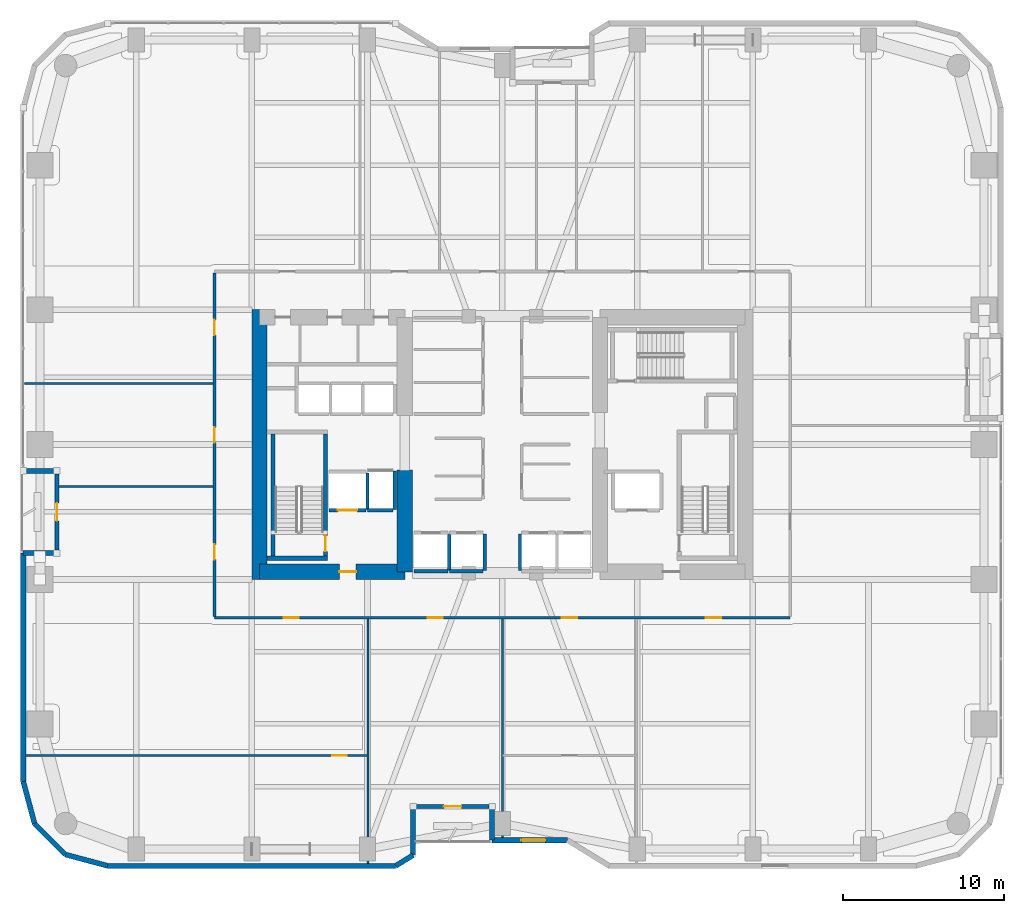
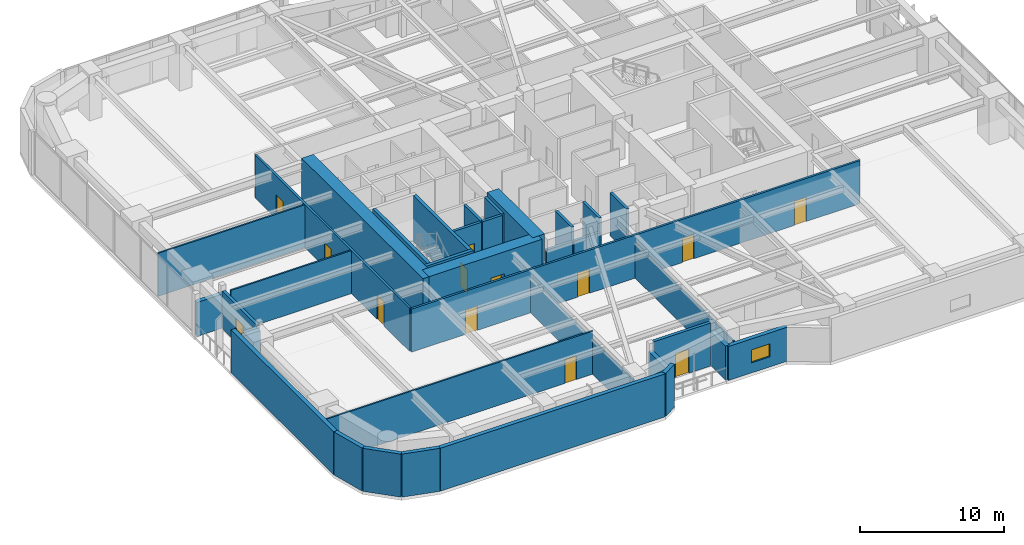
# One storey, part 22 of 28: 35 walls, 13 doors, 1 window, 14 openings.
"""IFC4 building model written with IfcOpenShell, lengths in metres."""

import ifcopenshell
import ifcopenshell.guid

model = None  # the IFC model being written
_history = None  # IfcOwnerHistory: only IFC2X3 demands one
_inside = {}  # id of a spatial element -> (the spatial element, [elements in it])
_under = {}  # id of a project, library or spatial element -> (it, [spatial elements below it])
_declared = {}  # id of a project -> (the project, [libraries it declares])
_typed = {}  # id of a type object -> (the type object, [elements of that type])
_made_of = {}  # id of a material, layer set ... -> (it, [elements and type objects made of it])


def new_model(schema):
    """Start an empty IFC model of exactly this schema.

    Asked for "IFC4X3", IfcOpenShell would pick the latest addendum, in which some entities
    have other attributes; the version numbers below select the first issue.
    IFC2X3 requires an IfcOwnerHistory on every rooted entity: one is made here for all.
    """
    global model, _history
    if schema == "IFC4X3":
        model = ifcopenshell.file(schema_version=(4, 3, 0, 0))
    else:
        model = ifcopenshell.file(schema=schema)
    _inside.clear()
    _under.clear()
    _declared.clear()
    _typed.clear()
    _made_of.clear()
    _history = None
    if model.schema == "IFC2X3":
        org = make("IfcOrganization", Name="unknown")
        user = make(
            "IfcPersonAndOrganization",
            ThePerson=make("IfcPerson", FamilyName="unknown"),
            TheOrganization=org,
        )
        app = make(
            "IfcApplication",
            ApplicationDeveloper=org,
            Version="unknown",
            ApplicationFullName="unknown",
            ApplicationIdentifier="unknown",
        )
        _history = make(
            "IfcOwnerHistory",
            OwningUser=user,
            OwningApplication=app,
            ChangeAction="ADDED",
            CreationDate=0,
        )
    return model


def make(cls, **values):
    """One entity of the class cls with the attributes given. An attribute that is None is left unset."""
    return model.create_entity(
        cls, **{name: value for name, value in values.items() if value is not None}
    )


def rooted(cls, **values):
    """An entity with a GlobalId (a new one), such as an element, a storey or a relation."""
    return make(cls, GlobalId=ifcopenshell.guid.new(), OwnerHistory=_history, **values)


def si_unit(unit_type, name, prefix=None):
    """IfcSIUnit, for example si_unit("LENGTHUNIT", "METRE", prefix="MILLI")."""
    return make("IfcSIUnit", UnitType=unit_type, Prefix=prefix, Name=name)


def assignment(units):
    """IfcUnitAssignment: the units of a project."""
    return None if units is None else make("IfcUnitAssignment", Units=units)


def point(xyz):
    """IfcCartesianPoint."""
    return None if xyz is None else make("IfcCartesianPoint", Coordinates=xyz)


def direction(xyz):
    """IfcDirection."""
    return None if xyz is None else make("IfcDirection", DirectionRatios=xyz)


def frame(location, z_axis=None, x_axis=None):
    """IfcAxis2Placement3D, a coordinate frame: its origin and axes. An axis left out is left unset."""
    return make(
        "IfcAxis2Placement3D",
        Location=point(location),
        Axis=direction(z_axis),
        RefDirection=direction(x_axis),
    )


def frame_2d(location, x_axis=None):
    """IfcAxis2Placement2D, a coordinate frame in the plane: its origin and x axis."""
    return make(
        "IfcAxis2Placement2D", Location=point(location), RefDirection=direction(x_axis)
    )


def origin():
    """The frame at (0, 0, 0) with its axes left unset."""
    return frame((0.0, 0.0, 0.0))


def place(relative_to, where):
    """IfcLocalPlacement: puts the frame where relative to a parent placement (None: the world)."""
    return make(
        "IfcLocalPlacement", PlacementRelTo=relative_to, RelativePlacement=where
    )


def context(
    kind, dimensions, precision=None, world=None, true_north=None, identifier=None
):
    """IfcGeometricRepresentationContext, for example the 3D "Model" context."""
    return make(
        "IfcGeometricRepresentationContext",
        ContextIdentifier=identifier,
        ContextType=kind,
        CoordinateSpaceDimension=dimensions,
        Precision=precision,
        WorldCoordinateSystem=world,
        TrueNorth=true_north,
    )


def subcontext(parent, identifier, kind, view, scale=None):
    """IfcGeometricRepresentationSubContext, for example "Body" below "Model"."""
    return make(
        "IfcGeometricRepresentationSubContext",
        ContextIdentifier=identifier,
        ContextType=kind,
        ParentContext=parent,
        TargetScale=scale,
        TargetView=view,
    )


def project(units=None, contexts=None):
    """IfcProject with its units and contexts."""
    return rooted(
        "IfcProject",
        Name="project",
        RepresentationContexts=contexts,
        UnitsInContext=assignment(units),
    )


def spatial(cls, under=None, at=None, **own):
    """A site, building, storey or space (cls), placed at a placement, below another one or the project."""
    s = rooted(cls, ObjectPlacement=at, **own)
    if under is not None:
        _under.setdefault(under.id(), (under, []))[1].append(s)
    return s


def profile(cls, at=None, kind="AREA", **sizes):
    """A parametric profile (cls). Its sizes go by their IFC names, for example OverallWidth=200.0."""
    return make(cls, ProfileType=kind, Position=at, **sizes)


def rectangle(**sizes):
    """IfcRectangleProfileDef."""
    return profile("IfcRectangleProfileDef", **sizes)


def extrude(swept, where, along, depth):
    """IfcExtrudedAreaSolid: the profile swept, set in the frame where, extruded along a direction by depth."""
    return make(
        "IfcExtrudedAreaSolid",
        SweptArea=swept,
        Position=where,
        ExtrudedDirection=direction(along),
        Depth=depth,
    )


def shape(context_of_items, identifier, shape_type, items):
    """IfcShapeRepresentation: the items that make up one representation, for example the "Body"."""
    return make(
        "IfcShapeRepresentation",
        ContextOfItems=context_of_items,
        RepresentationIdentifier=identifier,
        RepresentationType=shape_type,
        Items=items,
    )


def material(Name=None, Category=None):
    """IfcMaterial."""
    return make("IfcMaterial", Name=Name, Category=Category)


def layer(
    of_material, thickness, ventilated=None, Name=None, Category=None, Priority=None
):
    """IfcMaterialLayer: one layer of a wall or slab, of a material (None: an air gap)."""
    return make(
        "IfcMaterialLayer",
        Material=of_material,
        LayerThickness=thickness,
        IsVentilated=ventilated,
        Name=Name,
        Category=Category,
        Priority=Priority,
    )


def layer_set(layers, Name=None):
    """IfcMaterialLayerSet."""
    return make("IfcMaterialLayerSet", MaterialLayers=layers, LayerSetName=Name)


def made_of(thing, what):
    """Note that an element or type object is made of a material, layer set ...; save() writes the relation."""
    if what is not None:
        _made_of.setdefault(what.id(), (what, []))[1].append(thing)
    return thing


def type_object(cls, material=None, **own):
    """A type object (cls), such as IfcWallType, which elements share."""
    return made_of(rooted(cls, **own), material)


def element(
    cls,
    number,
    at=None,
    inside=None,
    cuts=None,
    type_object=None,
    material=None,
    context=None,
    identifier="Body",
    shape_type=None,
    held_by="IfcProductDefinitionShape",
    body=None,
    shapes=None,
    **own,
):
    """One element of the class cls, such as IfcWall. Its Tag is "e" and its number.

    at: its placement. inside: the storey or other place that contains it. cuts: it is an
    opening in that element (IfcRelVoidsElement). A single representation is given by context,
    identifier, shape_type and body (its items); several are given by shapes. held_by: the class
    of the entity that holds the representations. save() writes the other relations.
    """
    e = rooted(cls, Tag="e%d" % number, ObjectPlacement=at, **own)
    if body is not None:
        shapes = [shape(context, identifier, shape_type, body)]
    if shapes is not None:
        e.Representation = make(held_by, Representations=shapes)
    if inside is not None:
        _inside.setdefault(inside.id(), (inside, []))[1].append(e)
    if cuts is not None:
        rooted(
            "IfcRelVoidsElement", RelatingBuildingElement=cuts, RelatedOpeningElement=e
        )
    if type_object is not None:
        _typed.setdefault(type_object.id(), (type_object, []))[1].append(e)
    return made_of(e, material)


def fill(opening, filler):
    """IfcRelFillsElement: the door or window that sits in an opening."""
    return rooted(
        "IfcRelFillsElement",
        RelatingOpeningElement=opening,
        RelatedBuildingElement=filler,
    )


def aggregate(whole, parts):
    """IfcRelAggregates: a whole, such as a stair, and the parts it consists of."""
    return rooted("IfcRelAggregates", RelatingObject=whole, RelatedObjects=parts)


def save(model, path):
    """Write the relations noted so far, then the file.

    IfcRelAggregates (storeys below a building ...), IfcRelContainedInSpatialStructure (elements
    in a storey), IfcRelDefinesByType, IfcRelAssociatesMaterial and IfcRelDeclares: one each for
    every whole, place, type object, material and project.
    """
    for whole, parts in _under.values():
        aggregate(whole, parts)
    for where, things in _inside.values():
        rooted(
            "IfcRelContainedInSpatialStructure",
            RelatedElements=things,
            RelatingStructure=where,
        )
    for kind, things in _typed.values():
        rooted("IfcRelDefinesByType", RelatedObjects=things, RelatingType=kind)
    for what, things in _made_of.values():
        rooted("IfcRelAssociatesMaterial", RelatedObjects=things, RelatingMaterial=what)
    for by, libraries in _declared.values():
        rooted("IfcRelDeclares", RelatingContext=by, RelatedDefinitions=libraries)
    model.write(path)


model = new_model("IFC4")

# Units and contexts
model_context = context("Model", 3, precision=1e-05, world=origin(), true_north=direction((0.0, 1.0)))
body_context = subcontext(model_context, "Body", "Model", "MODEL_VIEW")
ifc_project = project(units=[si_unit("LENGTHUNIT", "METRE"), si_unit("AREAUNIT", "SQUARE_METRE"), si_unit("VOLUMEUNIT", "CUBIC_METRE"), si_unit("PLANEANGLEUNIT", "RADIAN"), si_unit("MASSUNIT", "GRAM", prefix="KILO")], contexts=[model_context])

# Site, building, storey
site_placement = place(None, origin())
site = spatial("IfcSite", under=ifc_project, at=site_placement, CompositionType="ELEMENT")
building_placement = place(site_placement, origin())
building = spatial("IfcBuilding", under=site, at=building_placement, Name="Kiyonajd Concourse Tower", CompositionType="ELEMENT")
storey_placement = place(building_placement, frame((0.0, 0.0, 37.199951171875)))
storey = spatial("IfcBuildingStorey", under=building, at=storey_placement, Name="L10", CompositionType="ELEMENT", Elevation=37.199951171875)

# Walls
ifc_material_1 = material(Name="Concrete C80/95", Category="concrete")
ifc_layer_1 = layer(ifc_material_1, 0.949951171875)
ifc_layer_set_1 = layer_set([ifc_layer_1], Name="Concrete C80/95")
wall_type_1 = type_object("IfcWallType", Name="WL-CORE-950", PredefinedType="SHEAR", material=ifc_layer_set_1)
wall_1_placement = place(storey_placement, frame((32.875, 27.60009765625, 0.0), z_axis=(0.0, 0.0, 1.0), x_axis=(0.0, 1.0, 0.0)))
element("IfcWall", 1, at=wall_1_placement, inside=storey, type_object=wall_type_1, Name="L10 West Core Outer Shear Wall", PredefinedType="SHEAR", context=body_context, shape_type="SweptSolid", body=[
    extrude(rectangle(XDim=16.7998046875, YDim=0.949951171875, at=frame_2d((8.39990234375, 0.0))), origin(), (0.0, 0.0, 1.0), 3.900146484375),
])
wall_2_placement = place(storey_placement, frame((41.925048828125, 28.074951171875, 0.0), z_axis=(0.0, 0.0, 1.0), x_axis=(0.0, 1.0, 0.0)))
element("IfcWall", 2, at=wall_2_placement, inside=storey, type_object=wall_type_1, Name="L10 West Core Inner South Shear Wall", PredefinedType="SHEAR", context=body_context, shape_type="SweptSolid", body=[
    extrude(rectangle(XDim=6.324951171875, YDim=0.949951171875, at=frame_2d((3.16259765625, 0.0))), origin(), (0.0, 0.0, 1.0), 3.900146484375),
])

# Wall, opening, door
wall_3_placement = place(storey_placement, frame((32.875, 28.074951171875, 0.0), z_axis=(0.0, 0.0, 1.0), x_axis=(1.0, 0.0, 0.0)))
wall_3 = element("IfcWall", 3, at=wall_3_placement, inside=storey, type_object=wall_type_1, Name="L10 West Core South Shear Wall", PredefinedType="SHEAR", context=body_context, shape_type="SweptSolid", body=[
    extrude(rectangle(XDim=9.050048828125, YDim=0.949951171875, at=frame_2d((4.52490234375, 0.0))), origin(), (0.0, 0.0, 1.0), 3.900146484375),
])
opening_1_placement = place(wall_3_placement, frame((4.97509765625, 0.0, 0.0)))
opening_1 = element("IfcOpeningElement", 4, at=opening_1_placement, cuts=wall_3, Name="Opening DF5", PredefinedType="OPENING", context=body_context, shape_type="SweptSolid", body=[
    extrude(rectangle(XDim=1.050048828125, YDim=2.0400390625, at=frame_2d((0.52490234375, 1.02001953125))), frame((0.0, 0.48486328125, 0.0), z_axis=(0.0, -1.0, 0.0), x_axis=(1.0, 0.0, 0.0)), (0.0, 0.0, 1.0), 0.969970703125),
])
ifc_material_2 = material(Name="Brushed Stainless Steel Cab Assembly", Category="steel")
door_type_1 = type_object("IfcDoorType", Name="DR-FD45-1050", OperationType="NOTDEFINED", PredefinedType="DOOR", material=ifc_material_2)
door_1_placement = place(opening_1_placement, origin())
door_1 = element("IfcDoor", 5, at=door_1_placement, inside=storey, type_object=door_type_1, Name="L10 Firefighting Lift Lobby W Smoke Door", OperationType="SINGLE_SWING_LEFT", OverallHeight=2.0400390625, OverallWidth=1.050048828125, PredefinedType="DOOR", context=body_context, shape_type="SweptSolid", body=[
    extrude(rectangle(XDim=1.050048828125, YDim=2.0400390625, at=frame_2d((0.52490234375, 1.02001953125))), frame((0.0, 0.02490234375, 0.0), z_axis=(0.0, -1.0, 0.0), x_axis=(1.0, 0.0, 0.0)), (0.0, 0.0, 1.0), 0.050048828125),
])
fill(opening_1, door_1)

# Walls
ifc_material_3 = material(Name="Precast concrete C50/60", Category="concrete")
ifc_layer_2 = layer(ifc_material_3, 0.320068359375)
ifc_layer_set_2 = layer_set([ifc_layer_2], Name="Precast concrete C50/60")
wall_type_2 = type_object("IfcWallType", Name="WL-EXT-320", PredefinedType="SOLIDWALL", material=ifc_layer_set_2)
wall_4_placement = place(storey_placement, frame((18.866455078125, 12.3828125, 0.0), z_axis=(0.0, 0.0, 1.0), x_axis=(-0.25869736047, 0.965958423373, 0.0)))
element("IfcWall", 6, at=wall_4_placement, inside=storey, type_object=wall_type_2, Name="L10 Exterior Concrete Frame Wall 00", PredefinedType="SOLIDWALL", context=body_context, shape_type="SweptSolid", body=[
    extrude(rectangle(XDim=2.731201171875, YDim=0.320068359375, at=frame_2d((1.36572265625, 0.0))), origin(), (0.0, 0.0, 1.0), 3.64013671875),
])
wall_5_placement = place(storey_placement, frame((18.159912109375, 15.02099609375, 0.0), z_axis=(0.0, 0.0, 1.0), x_axis=(0.0, 1.0, 0.0)))
element("IfcWall", 7, at=wall_5_placement, inside=storey, type_object=wall_type_2, Name="L10 Exterior Concrete Frame Wall 01", PredefinedType="SOLIDWALL", context=body_context, shape_type="SweptSolid", body=[
    extrude(rectangle(XDim=14.218994140625, YDim=0.320068359375, at=frame_2d((7.109375, 0.0))), origin(), (0.0, 0.0, 1.0), 3.64013671875),
])
for number, where, z_axis, x_axis, name in (
    (8, (18.159912109375, 29.239990234375, 0.0), (0.0, 0.0, 1.0), (1.0, 0.0, 0.0), "L10 Exterior Concrete Frame Wall 02"),
    (9, (20.260009765625, 34.360107421875, 0.0), (0.0, 0.0, 1.0), (-1.0, 0.0, 0.0), "L10 Exterior Concrete Frame Wall 04"),
):
    element("IfcWall", number, at=place(storey_placement, frame(where, z_axis=z_axis, x_axis=x_axis)), inside=storey, type_object=wall_type_2, Name=name, PredefinedType="SOLIDWALL", context=body_context, shape_type="SweptSolid", body=[
        extrude(rectangle(XDim=2.10009765625, YDim=0.320068359375, at=frame_2d((1.050048828125, 0.0))), origin(), (0.0, 0.0, 1.0), 2.875),
    ])

# Wall, opening, window
wall_6_placement = place(storey_placement, frame((52.04541015625, 11.360107421875, 0.0), z_axis=(0.0, 0.0, 1.0), x_axis=(-1.0, 0.0, 0.0)))
wall_6 = element("IfcWall", 10, at=wall_6_placement, inside=storey, type_object=wall_type_2, Name="L10 Exterior Concrete Frame Wall 30", PredefinedType="SOLIDWALL", context=body_context, shape_type="SweptSolid", body=[
    extrude(rectangle(XDim=4.685302734375, YDim=0.320068359375, at=frame_2d((2.3427734375, 0.0))), origin(), (0.0, 0.0, 1.0), 2.875),
])
opening_2_placement = place(wall_6_placement, frame((1.367919921875, 0.0, 0.85009765625)))
opening_2 = element("IfcOpeningElement", 11, at=opening_2_placement, cuts=wall_6, Name="Opening WN2", PredefinedType="OPENING", context=body_context, shape_type="SweptSolid", body=[
    extrude(rectangle(XDim=1.5, YDim=1.10009765625, at=frame_2d((0.75, 0.550048828125))), frame((0.0, 0.169921875, 0.0), z_axis=(0.0, -1.0, 0.0), x_axis=(1.0, 0.0, 0.0)), (0.0, 0.0, 1.0), 0.340087890625),
])
ifc_material_4 = material(Name="Double Low-E Insulated Glass", Category="glass")
window_type = type_object("IfcWindowType", Name="WN-VIS-1500x1100", PartitioningType="SINGLE_PANEL", PredefinedType="WINDOW", material=ifc_material_4)
window_placement = place(opening_2_placement, origin())
window = element("IfcWindow", 12, at=window_placement, inside=storey, type_object=window_type, Name="L10 Modular Facade Vision Window 30", OverallHeight=1.10009765625, OverallWidth=1.5, PartitioningType="SINGLE_PANEL", PredefinedType="WINDOW", context=body_context, shape_type="SweptSolid", body=[
    extrude(rectangle(XDim=1.5, YDim=1.10009765625, at=frame_2d((0.75, 0.550048828125))), frame((0.0, 0.030029296875, 0.0), z_axis=(0.0, -1.0, 0.0), x_axis=(1.0, 0.0, 0.0)), (0.0, 0.0, 1.0), 0.06005859375),
])
fill(opening_2, window)

# Walls
wall_7_placement = place(storey_placement, frame((47.360107421875, 11.360107421875, 0.0), z_axis=(0.0, 0.0, 1.0), x_axis=(0.0, 1.0, 0.0)))
element("IfcWall", 13, at=wall_7_placement, inside=storey, type_object=wall_type_2, Name="L10 Exterior Concrete Frame Wall 31", PredefinedType="SOLIDWALL", context=body_context, shape_type="SweptSolid", body=[
    extrude(rectangle(XDim=2.099853515625, YDim=0.320068359375, at=frame_2d((1.0498046875, 0.0))), origin(), (0.0, 0.0, 1.0), 2.875),
])
wall_8_placement = place(storey_placement, frame((42.43994140625, 13.4599609375, 0.0), z_axis=(0.0, 0.0, 1.0), x_axis=(0.0, -1.0, 0.0)))
element("IfcWall", 14, at=wall_8_placement, inside=storey, type_object=wall_type_2, Name="L10 Exterior Concrete Frame Wall 33", PredefinedType="SOLIDWALL", context=body_context, shape_type="SweptSolid", body=[
    extrude(rectangle(XDim=3.032470703125, YDim=0.320068359375, at=frame_2d((1.51611328125, 0.0))), origin(), (0.0, 0.0, 1.0), 2.875),
])
wall_9_placement = place(storey_placement, frame((42.43994140625, 10.427490234375, 0.0), z_axis=(0.0, 0.0, 1.0), x_axis=(-0.851776724646, -0.523904964045, 0.0)))
element("IfcWall", 15, at=wall_9_placement, inside=storey, type_object=wall_type_2, Name="L10 Exterior Concrete Frame Wall 34", PredefinedType="SOLIDWALL", context=body_context, shape_type="SweptSolid", body=[
    extrude(rectangle(XDim=1.274169921875, YDim=0.320068359375, at=frame_2d((0.63720703125, 0.0))), origin(), (0.0, 0.0, 1.0), 3.64013671875),
])
wall_10_placement = place(storey_placement, frame((41.354736328125, 9.760009765625, 0.0), z_axis=(0.0, 0.0, 1.0), x_axis=(-1.0, 0.0, 0.0)))
element("IfcWall", 16, at=wall_10_placement, inside=storey, type_object=wall_type_2, Name="L10 Exterior Concrete Frame Wall 35", PredefinedType="SOLIDWALL", context=body_context, shape_type="SweptSolid", body=[
    extrude(rectangle(XDim=17.93359375, YDim=0.320068359375, at=frame_2d((8.966796875, 0.0))), origin(), (0.0, 0.0, 1.0), 3.64013671875),
])
wall_11_placement = place(storey_placement, frame((23.421142578125, 9.760009765625, 0.0), z_axis=(0.0, 0.0, 1.0), x_axis=(-0.965964405026, 0.25867502435, 0.0)))
element("IfcWall", 17, at=wall_11_placement, inside=storey, type_object=wall_type_2, Name="L10 Exterior Concrete Frame Wall 36", PredefinedType="SOLIDWALL", context=body_context, shape_type="SweptSolid", body=[
    extrude(rectangle(XDim=2.7314453125, YDim=0.320068359375, at=frame_2d((1.36572265625, 0.0))), origin(), (0.0, 0.0, 1.0), 3.64013671875),
])
wall_12_placement = place(storey_placement, frame((20.78271484375, 10.466552734375, 0.0), z_axis=(0.0, 0.0, 1.0), x_axis=(-0.707106781187, 0.707106781187, 0.0)))
element("IfcWall", 18, at=wall_12_placement, inside=storey, type_object=wall_type_2, Name="L10 Exterior Concrete Frame Wall 37", PredefinedType="SOLIDWALL", context=body_context, shape_type="SweptSolid", body=[
    extrude(rectangle(XDim=2.7099609375, YDim=0.320068359375, at=frame_2d((1.35498046875, 0.0))), origin(), (0.0, 0.0, 1.0), 3.64013671875),
])

# Wall, opening, door
ifc_layer_3 = layer(ifc_material_3, 0.239990234375)
ifc_layer_set_3 = layer_set([ifc_layer_3], Name="Precast concrete C50/60")
wall_type_3 = type_object("IfcWallType", Name="WL-LOG-240", PredefinedType="SOLIDWALL", material=ifc_layer_set_3)
wall_13_placement = place(storey_placement, frame((20.260009765625, 29.43505859375, 0.0), z_axis=(0.0, 0.0, 1.0), x_axis=(0.0, 1.0, 0.0)))
wall_13 = element("IfcWall", 19, at=wall_13_placement, inside=storey, type_object=wall_type_3, Name="L10 Recessed Loggia Thermal Wall LOG-W", PredefinedType="SOLIDWALL", context=body_context, shape_type="SweptSolid", body=[
    extrude(rectangle(XDim=4.72998046875, YDim=0.239990234375, at=frame_2d((2.364990234375, 0.0))), origin(), (0.0, 0.0, 1.0), 3.162109375),
])
opening_3_placement = place(wall_13_placement, frame((1.81494140625, 0.0, 0.0)))
opening_3 = element("IfcOpeningElement", 20, at=opening_3_placement, cuts=wall_13, Name="Opening DL2", PredefinedType="OPENING", context=body_context, shape_type="SweptSolid", body=[
    extrude(rectangle(XDim=1.10009765625, YDim=2.0400390625, at=frame_2d((0.550048828125, 1.02001953125))), frame((0.0, 0.1298828125, 0.0), z_axis=(0.0, -1.0, 0.0), x_axis=(1.0, 0.0, 0.0)), (0.0, 0.0, 1.0), 0.260009765625),
])
ifc_material_5 = material(Name="Thermally Broken Anodised Aluminium", Category="aluminium")
door_type_2 = type_object("IfcDoorType", Name="DR-LOG-1100", OperationType="NOTDEFINED", PredefinedType="DOOR", material=ifc_material_5)
door_2_placement = place(opening_3_placement, origin())
door_2 = element("IfcDoor", 21, at=door_2_placement, inside=storey, type_object=door_type_2, Name="L10 Engawa Loggia Access Door LOG-W", OperationType="SINGLE_SWING_LEFT", OverallHeight=2.0400390625, OverallWidth=1.10009765625, PredefinedType="DOOR", context=body_context, shape_type="SweptSolid", body=[
    extrude(rectangle(XDim=1.10009765625, YDim=2.0400390625, at=frame_2d((0.550048828125, 1.02001953125))), frame((0.0, 0.02490234375, 0.0), z_axis=(0.0, -1.0, 0.0), x_axis=(1.0, 0.0, 0.0)), (0.0, 0.0, 1.0), 0.050048828125),
])
fill(opening_3, door_2)

wall_14_placement = place(storey_placement, frame((47.1650390625, 13.4599609375, 0.0), z_axis=(0.0, 0.0, 1.0), x_axis=(-1.0, 0.0, 0.0)))
wall_14 = element("IfcWall", 22, at=wall_14_placement, inside=storey, type_object=wall_type_3, Name="L10 Recessed Loggia Thermal Wall LOG-S", PredefinedType="SOLIDWALL", context=body_context, shape_type="SweptSolid", body=[
    extrude(rectangle(XDim=4.530029296875, YDim=0.239990234375, at=frame_2d((2.26513671875, 0.0))), origin(), (0.0, 0.0, 1.0), 3.64013671875),
])
opening_4_placement = place(wall_14_placement, frame((1.715087890625, 0.0, 0.0)))
opening_4 = element("IfcOpeningElement", 23, at=opening_4_placement, cuts=wall_14, Name="Opening DL2", PredefinedType="OPENING", context=body_context, shape_type="SweptSolid", body=[
    extrude(rectangle(XDim=1.10009765625, YDim=2.0400390625, at=frame_2d((0.550048828125, 1.02001953125))), frame((0.0, 0.1298828125, 0.0), z_axis=(0.0, -1.0, 0.0), x_axis=(1.0, 0.0, 0.0)), (0.0, 0.0, 1.0), 0.260009765625),
])
door_3_placement = place(opening_4_placement, origin())
door_3 = element("IfcDoor", 24, at=door_3_placement, inside=storey, type_object=door_type_2, Name="L10 Engawa Loggia Access Door LOG-S", OperationType="SINGLE_SWING_RIGHT", OverallHeight=2.0400390625, OverallWidth=1.10009765625, PredefinedType="DOOR", context=body_context, shape_type="SweptSolid", body=[
    extrude(rectangle(XDim=1.10009765625, YDim=2.0400390625, at=frame_2d((0.550048828125, 1.02001953125))), frame((0.0, 0.02490234375, 0.0), z_axis=(0.0, -1.0, 0.0), x_axis=(1.0, 0.0, 0.0)), (0.0, 0.0, 1.0), 0.050048828125),
])
fill(opening_4, door_3)

ifc_material_6 = material(Name="Gypsum Board on Cold-Formed Steel Stud", Category="steel")
ifc_layer_4 = layer(ifc_material_6, 0.125)
ifc_layer_set_4 = layer_set([ifc_layer_4], Name="Gypsum Board on Cold-Formed Steel Stud")
wall_type_4 = type_object("IfcWallType", Name="WL-PART-125", PredefinedType="PARTITIONING", material=ifc_layer_set_4)
wall_15_placement = place(storey_placement, frame((18.31494140625, 16.6298828125, 0.0), z_axis=(0.0, 0.0, 1.0), x_axis=(1.0, 0.0, 0.0)))
wall_15 = element("IfcWall", 25, at=wall_15_placement, inside=storey, type_object=wall_type_4, Name="L10 Interior Partition Wall", PredefinedType="PARTITIONING", context=body_context, shape_type="SweptSolid", body=[
    extrude(rectangle(XDim=21.324951171875, YDim=0.125, at=frame_2d((10.66259765625, 0.0))), origin(), (0.0, 0.0, 1.0), 3.64013671875),
])
opening_5_placement = place(wall_15_placement, frame((19.0849609375, 0.0, 0.0)))
opening_5 = element("IfcOpeningElement", 26, at=opening_5_placement, cuts=wall_15, Name="Opening DI2", PredefinedType="OPENING", context=body_context, shape_type="SweptSolid", body=[
    extrude(rectangle(XDim=0.89990234375, YDim=2.02001953125, at=frame_2d((0.449951171875, 1.010009765625))), frame((0.0, 0.072509765625, 0.0), z_axis=(0.0, -1.0, 0.0), x_axis=(1.0, 0.0, 0.0)), (0.0, 0.0, 1.0), 0.14501953125),
])
ifc_material_7 = material(Name="Natural Oak Acoustic Timber Veneer", Category="wood")
door_type_3 = type_object("IfcDoorType", Name="DR-INT-900", OperationType="NOTDEFINED", PredefinedType="DOOR", material=ifc_material_7)
door_4_placement = place(opening_5_placement, origin())
door_4 = element("IfcDoor", 27, at=door_4_placement, inside=storey, type_object=door_type_3, Name="L10 Interior Door", OperationType="SINGLE_SWING_RIGHT", OverallHeight=2.02001953125, OverallWidth=0.89990234375, PredefinedType="DOOR", context=body_context, shape_type="SweptSolid", body=[
    extrude(rectangle(XDim=0.89990234375, YDim=2.02001953125, at=frame_2d((0.449951171875, 1.010009765625))), frame((0.0, 0.02490234375, 0.0), z_axis=(0.0, -1.0, 0.0), x_axis=(1.0, 0.0, 0.0)), (0.0, 0.0, 1.0), 0.050048828125),
])
fill(opening_5, door_4)

# Walls
wall_16_placement = place(storey_placement, frame((39.639892578125, 9.9150390625, 0.0), z_axis=(0.0, 0.0, 1.0), x_axis=(0.0, 1.0, 0.0)))
element("IfcWall", 28, at=wall_16_placement, inside=storey, type_object=wall_type_4, Name="L10 Interior Partition Wall", PredefinedType="PARTITIONING", context=body_context, shape_type="SweptSolid", body=[
    extrude(rectangle(XDim=15.218017578125, YDim=0.125, at=frame_2d((7.60888671875, 0.0))), origin(), (0.0, 0.0, 1.0), 2.929931640625),
])
wall_17_placement = place(storey_placement, frame((48.0, 11.514892578125, 0.0), z_axis=(0.0, 0.0, 1.0), x_axis=(0.0, 1.0, 0.0)))
element("IfcWall", 29, at=wall_17_placement, inside=storey, type_object=wall_type_4, Name="L10 Interior Partition Wall", PredefinedType="PARTITIONING", context=body_context, shape_type="SweptSolid", body=[
    extrude(rectangle(XDim=13.6181640625, YDim=0.125, at=frame_2d((6.80908203125, 0.0))), origin(), (0.0, 0.0, 1.0), 2.929931640625),
])
wall_18_placement = place(storey_placement, frame((20.375, 33.39990234375, 0.0), z_axis=(0.0, 0.0, 1.0), x_axis=(1.0, 0.0, 0.0)))
element("IfcWall", 30, at=wall_18_placement, inside=storey, type_object=wall_type_4, Name="L10 Interior Partition Wall", PredefinedType="PARTITIONING", context=body_context, shape_type="SweptSolid", body=[
    extrude(rectangle(XDim=9.613037109375, YDim=0.125, at=frame_2d((4.806640625, 0.0))), origin(), (0.0, 0.0, 1.0), 3.64013671875),
])
wall_19_placement = place(storey_placement, frame((18.2451171875, 39.800048828125, 0.0), z_axis=(0.0, 0.0, 1.0), x_axis=(1.0, 0.0, 0.0)))
element("IfcWall", 31, at=wall_19_placement, inside=storey, type_object=wall_type_4, Name="L10 Interior Partition Wall", PredefinedType="PARTITIONING", context=body_context, shape_type="SweptSolid", body=[
    extrude(rectangle(XDim=11.742919921875, YDim=0.125, at=frame_2d((5.87158203125, 0.0))), origin(), (0.0, 0.0, 1.0), 3.64013671875),
])

# Wall, opening, door
ifc_layer_5 = layer(ifc_material_6, 0.2099609375)
ifc_layer_set_5 = layer_set([ifc_layer_5], Name="Gypsum Board on Cold-Formed Steel Stud")
wall_type_5 = type_object("IfcWallType", Name="WL-SHAFT-210", PredefinedType="PARTITIONING", material=ifc_layer_set_5)
wall_20_placement = place(storey_placement, frame((37.199951171875, 31.89990234375, 0.0), z_axis=(0.0, 0.0, 1.0), x_axis=(1.0, 0.0, 0.0)))
wall_20 = element("IfcWall", 32, at=wall_20_placement, inside=storey, type_object=wall_type_5, Name="L10 Shaft Enclosure Wall", PredefinedType="PARTITIONING", context=body_context, shape_type="SweptSolid", body=[
    extrude(rectangle(XDim=2.300048828125, YDim=0.2099609375, at=frame_2d((1.14990234375, 0.0))), origin(), (0.0, 0.0, 1.0), 3.64013671875),
])
opening_6_placement = place(wall_20_placement, frame((0.550048828125, 0.0, 0.0)))
opening_6 = element("IfcOpeningElement", 33, at=opening_6_placement, cuts=wall_20, Name="Opening LD2", PredefinedType="OPENING", context=body_context, shape_type="SweptSolid", body=[
    extrude(rectangle(XDim=1.199951171875, YDim=2.0400390625, at=frame_2d((0.60009765625, 1.02001953125))), frame((0.0, 0.114990234375, 0.0), z_axis=(0.0, -1.0, 0.0), x_axis=(1.0, 0.0, 0.0)), (0.0, 0.0, 1.0), 0.22998046875),
])
door_type_4 = type_object("IfcDoorType", Name="DR-LD-1200", OperationType="DOUBLE_DOOR_SLIDING", PredefinedType="DOOR", material=ifc_material_2)
door_5_placement = place(opening_6_placement, origin())
door_5 = element("IfcDoor", 34, at=door_5_placement, inside=storey, type_object=door_type_4, Name="L10 Lift FFL1 Sliding Landing Door", OperationType="DOUBLE_DOOR_SLIDING", OverallHeight=2.0400390625, OverallWidth=1.199951171875, PredefinedType="DOOR", context=body_context, shape_type="SweptSolid", body=[
    extrude(rectangle(XDim=1.199951171875, YDim=2.0400390625, at=frame_2d((0.60009765625, 1.02001953125))), frame((0.0, 0.02490234375, 0.0), z_axis=(0.0, -1.0, 0.0), x_axis=(1.0, 0.0, 0.0)), (0.0, 0.0, 1.0), 0.050048828125),
])
fill(opening_6, door_5)

# Walls
wall_21_placement = place(storey_placement, frame((39.60009765625, 31.9599609375, 0.0), z_axis=(0.0, 0.0, 1.0), x_axis=(0.0, 1.0, 0.0)))
element("IfcWall", 35, at=wall_21_placement, inside=storey, type_object=wall_type_5, Name="L10 Shaft Enclosure Wall", PredefinedType="PARTITIONING", context=body_context, shape_type="SweptSolid", body=[
    extrude(rectangle(XDim=2.280029296875, YDim=0.2099609375, at=frame_2d((1.14013671875, 0.0))), origin(), (0.0, 0.0, 1.0), 3.64013671875),
])
wall_22_placement = place(storey_placement, frame((39.60009765625, 31.89990234375, 0.0), z_axis=(0.0, 0.0, 1.0), x_axis=(1.0, 0.0, 0.0)))
element("IfcWall", 36, at=wall_22_placement, inside=storey, type_object=wall_type_5, Name="L10 Shaft Enclosure Wall", PredefinedType="PARTITIONING", context=body_context, shape_type="SweptSolid", body=[
    extrude(rectangle(XDim=1.599853515625, YDim=0.2099609375, at=frame_2d((0.7998046875, 0.0))), origin(), (0.0, 0.0, 1.0), 3.64013671875),
])
wall_23_placement = place(storey_placement, frame((41.300048828125, 31.9599609375, 0.0), z_axis=(0.0, 0.0, 1.0), x_axis=(0.0, 1.0, 0.0)))
element("IfcWall", 37, at=wall_23_placement, inside=storey, type_object=wall_type_5, Name="L10 Shaft Enclosure Wall", PredefinedType="PARTITIONING", context=body_context, shape_type="SweptSolid", body=[
    extrude(rectangle(XDim=2.380126953125, YDim=0.2099609375, at=frame_2d((1.18994140625, 0.0))), origin(), (0.0, 0.0, 1.0), 3.64013671875),
])
wall_24_placement = place(storey_placement, frame((42.5, 28.10009765625, 0.0), z_axis=(0.0, 0.0, 1.0), x_axis=(1.0, 0.0, 0.0)))
element("IfcWall", 38, at=wall_24_placement, inside=storey, type_object=wall_type_5, Name="L10 Shaft Enclosure Wall", PredefinedType="PARTITIONING", context=body_context, shape_type="SweptSolid", body=[
    extrude(rectangle(XDim=2.10009765625, YDim=0.2099609375, at=frame_2d((1.050048828125, 0.0))), origin(), (0.0, 0.0, 1.0), 2.525146484375),
])
wall_25_placement = place(storey_placement, frame((44.699951171875, 28.159912109375, 0.0), z_axis=(0.0, 0.0, 1.0), x_axis=(0.0, 1.0, 0.0)))
element("IfcWall", 39, at=wall_25_placement, inside=storey, type_object=wall_type_5, Name="L10 Shaft Enclosure Wall", PredefinedType="PARTITIONING", context=body_context, shape_type="SweptSolid", body=[
    extrude(rectangle(XDim=2.280029296875, YDim=0.2099609375, at=frame_2d((1.14013671875, 0.0))), origin(), (0.0, 0.0, 1.0), 3.64013671875),
])
wall_26_placement = place(storey_placement, frame((44.699951171875, 28.10009765625, 0.0), z_axis=(0.0, 0.0, 1.0), x_axis=(1.0, 0.0, 0.0)))
element("IfcWall", 40, at=wall_26_placement, inside=storey, type_object=wall_type_5, Name="L10 Shaft Enclosure Wall", PredefinedType="PARTITIONING", context=body_context, shape_type="SweptSolid", body=[
    extrude(rectangle(XDim=2.10009765625, YDim=0.2099609375, at=frame_2d((1.050048828125, 0.0))), origin(), (0.0, 0.0, 1.0), 2.525146484375),
])
for number, where, z_axis, x_axis, name in (
    (41, (46.89990234375, 28.159912109375, 0.0), (0.0, 0.0, 1.0), (0.0, 1.0, 0.0), "L10 Shaft Enclosure Wall"),
    (42, (49.10009765625, 28.159912109375, 0.0), (0.0, 0.0, 1.0), (0.0, 1.0, 0.0), "L10 Shaft Enclosure Wall"),
):
    element("IfcWall", number, at=place(storey_placement, frame(where, z_axis=z_axis, x_axis=x_axis)), inside=storey, type_object=wall_type_5, Name=name, PredefinedType="PARTITIONING", context=body_context, shape_type="SweptSolid", body=[
        extrude(rectangle(XDim=2.280029296875, YDim=0.2099609375, at=frame_2d((1.14013671875, 0.0))), origin(), (0.0, 0.0, 1.0), 3.64013671875),
    ])

# Wall, openings, doors
ifc_layer_6 = layer(ifc_material_6, 0.169921875)
ifc_layer_set_6 = layer_set([ifc_layer_6], Name="Gypsum Board on Cold-Formed Steel Stud")
wall_type_6 = type_object("IfcWallType", Name="WL-SMK-170", PredefinedType="PARTITIONING", material=ifc_layer_set_6)
wall_27_placement = place(storey_placement, frame((30.074951171875, 25.219970703125, 0.0), z_axis=(0.0, 0.0, 1.0), x_axis=(1.0, 0.0, 0.0)))
wall_27 = element("IfcWall", 43, at=wall_27_placement, inside=storey, type_object=wall_type_6, Name="L10 Interior Partition Wall", PredefinedType="PARTITIONING", context=body_context, shape_type="SweptSolid", body=[
    extrude(rectangle(XDim=35.85009765625, YDim=0.169921875, at=frame_2d((17.925048828125, 0.0))), origin(), (0.0, 0.0, 1.0), 3.64013671875),
])
opening_7_placement = place(wall_27_placement, frame((4.30810546875, 0.0, 0.0)))
opening_7 = element("IfcOpeningElement", 44, at=opening_7_placement, cuts=wall_27, Name="Opening DI1", PredefinedType="OPENING", context=body_context, shape_type="SweptSolid", body=[
    extrude(rectangle(XDim=0.949951171875, YDim=2.0400390625, at=frame_2d((0.47509765625, 1.02001953125))), frame((0.0, 0.094970703125, 0.0), z_axis=(0.0, -1.0, 0.0), x_axis=(1.0, 0.0, 0.0)), (0.0, 0.0, 1.0), 0.18994140625),
])
opening_8_placement = place(wall_27_placement, frame((13.27001953125, 0.0, 0.0)))
opening_8 = element("IfcOpeningElement", 45, at=opening_8_placement, cuts=wall_27, Name="Opening DI1", PredefinedType="OPENING", context=body_context, shape_type="SweptSolid", body=[
    extrude(rectangle(XDim=0.949951171875, YDim=2.0400390625, at=frame_2d((0.47509765625, 1.02001953125))), frame((0.0, 0.094970703125, 0.0), z_axis=(0.0, -1.0, 0.0), x_axis=(1.0, 0.0, 0.0)), (0.0, 0.0, 1.0), 0.18994140625),
])
opening_9_placement = place(wall_27_placement, frame((21.6298828125, 0.0, 0.0)))
opening_9 = element("IfcOpeningElement", 46, at=opening_9_placement, cuts=wall_27, Name="Opening DI1", PredefinedType="OPENING", context=body_context, shape_type="SweptSolid", body=[
    extrude(rectangle(XDim=0.949951171875, YDim=2.0400390625, at=frame_2d((0.47509765625, 1.02001953125))), frame((0.0, 0.094970703125, 0.0), z_axis=(0.0, -1.0, 0.0), x_axis=(1.0, 0.0, 0.0)), (0.0, 0.0, 1.0), 0.18994140625),
])
opening_10_placement = place(wall_27_placement, frame((30.592041015625, 0.0, 0.0)))
opening_10 = element("IfcOpeningElement", 47, at=opening_10_placement, cuts=wall_27, Name="Opening DI1", PredefinedType="OPENING", context=body_context, shape_type="SweptSolid", body=[
    extrude(rectangle(XDim=0.949951171875, YDim=2.0400390625, at=frame_2d((0.47509765625, 1.02001953125))), frame((0.0, 0.094970703125, 0.0), z_axis=(0.0, -1.0, 0.0), x_axis=(1.0, 0.0, 0.0)), (0.0, 0.0, 1.0), 0.18994140625),
])
door_type_5 = type_object("IfcDoorType", Name="DR-INT-950", OperationType="NOTDEFINED", PredefinedType="DOOR", material=ifc_material_7)
door_6_placement = place(opening_7_placement, origin())
door_6 = element("IfcDoor", 48, at=door_6_placement, inside=storey, type_object=door_type_5, Name="L10 Interior Door", OperationType="SINGLE_SWING_LEFT", OverallHeight=2.0400390625, OverallWidth=0.949951171875, PredefinedType="DOOR", context=body_context, shape_type="SweptSolid", body=[
    extrude(rectangle(XDim=0.949951171875, YDim=2.0400390625, at=frame_2d((0.47509765625, 1.02001953125))), frame((0.0, 0.02490234375, 0.0), z_axis=(0.0, -1.0, 0.0), x_axis=(1.0, 0.0, 0.0)), (0.0, 0.0, 1.0), 0.050048828125),
])
fill(opening_7, door_6)
door_7_placement = place(opening_8_placement, origin())
door_7 = element("IfcDoor", 49, at=door_7_placement, inside=storey, type_object=door_type_5, Name="L10 Interior Door", OperationType="SINGLE_SWING_RIGHT", OverallHeight=2.0400390625, OverallWidth=0.949951171875, PredefinedType="DOOR", context=body_context, shape_type="SweptSolid", body=[
    extrude(rectangle(XDim=0.949951171875, YDim=2.0400390625, at=frame_2d((0.47509765625, 1.02001953125))), frame((0.0, 0.02490234375, 0.0), z_axis=(0.0, -1.0, 0.0), x_axis=(1.0, 0.0, 0.0)), (0.0, 0.0, 1.0), 0.050048828125),
])
fill(opening_8, door_7)
door_8_placement = place(opening_9_placement, origin())
door_8 = element("IfcDoor", 50, at=door_8_placement, inside=storey, type_object=door_type_5, Name="L10 Interior Door", OperationType="SINGLE_SWING_RIGHT", OverallHeight=2.0400390625, OverallWidth=0.949951171875, PredefinedType="DOOR", context=body_context, shape_type="SweptSolid", body=[
    extrude(rectangle(XDim=0.949951171875, YDim=2.0400390625, at=frame_2d((0.47509765625, 1.02001953125))), frame((0.0, 0.02490234375, 0.0), z_axis=(0.0, -1.0, 0.0), x_axis=(1.0, 0.0, 0.0)), (0.0, 0.0, 1.0), 0.050048828125),
])
fill(opening_9, door_8)
door_9_placement = place(opening_10_placement, origin())
door_9 = element("IfcDoor", 51, at=door_9_placement, inside=storey, type_object=door_type_5, Name="L10 Interior Door", OperationType="SINGLE_SWING_LEFT", OverallHeight=2.0400390625, OverallWidth=0.949951171875, PredefinedType="DOOR", context=body_context, shape_type="SweptSolid", body=[
    extrude(rectangle(XDim=0.949951171875, YDim=2.0400390625, at=frame_2d((0.47509765625, 1.02001953125))), frame((0.0, 0.02490234375, 0.0), z_axis=(0.0, -1.0, 0.0), x_axis=(1.0, 0.0, 0.0)), (0.0, 0.0, 1.0), 0.050048828125),
])
fill(opening_10, door_9)

wall_28_placement = place(storey_placement, frame((30.074951171875, 25.306884765625, 0.0), z_axis=(0.0, 0.0, 1.0), x_axis=(0.0, 1.0, 0.0)))
wall_28 = element("IfcWall", 52, at=wall_28_placement, inside=storey, type_object=wall_type_6, Name="L10 Interior Partition Wall", PredefinedType="PARTITIONING", context=body_context, shape_type="SweptSolid", body=[
    extrude(rectangle(XDim=21.38623046875, YDim=0.169921875, at=frame_2d((10.693115234375, 0.0))), origin(), (0.0, 0.0, 1.0), 3.64013671875),
])
opening_11_placement = place(wall_28_placement, frame((3.528076171875, 0.0, 0.0)))
opening_11 = element("IfcOpeningElement", 53, at=opening_11_placement, cuts=wall_28, Name="Opening DI1", PredefinedType="OPENING", context=body_context, shape_type="SweptSolid", body=[
    extrude(rectangle(XDim=0.949951171875, YDim=2.0400390625, at=frame_2d((0.47509765625, 1.02001953125))), frame((0.0, 0.094970703125, 0.0), z_axis=(0.0, -1.0, 0.0), x_axis=(1.0, 0.0, 0.0)), (0.0, 0.0, 1.0), 0.18994140625),
])
opening_12_placement = place(wall_28_placement, frame((10.818115234375, 0.0, 0.0)))
opening_12 = element("IfcOpeningElement", 54, at=opening_12_placement, cuts=wall_28, Name="Opening DI1", PredefinedType="OPENING", context=body_context, shape_type="SweptSolid", body=[
    extrude(rectangle(XDim=0.949951171875, YDim=2.0400390625, at=frame_2d((0.47509765625, 1.02001953125))), frame((0.0, 0.094970703125, 0.0), z_axis=(0.0, -1.0, 0.0), x_axis=(1.0, 0.0, 0.0)), (0.0, 0.0, 1.0), 0.18994140625),
])
opening_13_placement = place(wall_28_placement, frame((17.508056640625, 0.0, 0.0)))
opening_13 = element("IfcOpeningElement", 55, at=opening_13_placement, cuts=wall_28, Name="Opening DI1", PredefinedType="OPENING", context=body_context, shape_type="SweptSolid", body=[
    extrude(rectangle(XDim=0.949951171875, YDim=2.0400390625, at=frame_2d((0.47509765625, 1.02001953125))), frame((0.0, 0.094970703125, 0.0), z_axis=(0.0, -1.0, 0.0), x_axis=(1.0, 0.0, 0.0)), (0.0, 0.0, 1.0), 0.18994140625),
])
door_10_placement = place(opening_11_placement, origin())
door_10 = element("IfcDoor", 56, at=door_10_placement, inside=storey, type_object=door_type_5, Name="L10 Interior Door", OperationType="SINGLE_SWING_RIGHT", OverallHeight=2.0400390625, OverallWidth=0.949951171875, PredefinedType="DOOR", context=body_context, shape_type="SweptSolid", body=[
    extrude(rectangle(XDim=0.949951171875, YDim=2.0400390625, at=frame_2d((0.47509765625, 1.02001953125))), frame((0.0, 0.02490234375, 0.0), z_axis=(0.0, -1.0, 0.0), x_axis=(1.0, 0.0, 0.0)), (0.0, 0.0, 1.0), 0.050048828125),
])
fill(opening_11, door_10)
door_11_placement = place(opening_12_placement, origin())
door_11 = element("IfcDoor", 57, at=door_11_placement, inside=storey, type_object=door_type_5, Name="L10 Interior Door", OperationType="SINGLE_SWING_LEFT", OverallHeight=2.0400390625, OverallWidth=0.949951171875, PredefinedType="DOOR", context=body_context, shape_type="SweptSolid", body=[
    extrude(rectangle(XDim=0.949951171875, YDim=2.0400390625, at=frame_2d((0.47509765625, 1.02001953125))), frame((0.0, 0.02490234375, 0.0), z_axis=(0.0, -1.0, 0.0), x_axis=(1.0, 0.0, 0.0)), (0.0, 0.0, 1.0), 0.050048828125),
])
fill(opening_12, door_11)
door_12_placement = place(opening_13_placement, origin())
door_12 = element("IfcDoor", 58, at=door_12_placement, inside=storey, type_object=door_type_5, Name="L10 Interior Door", OperationType="SINGLE_SWING_RIGHT", OverallHeight=2.0400390625, OverallWidth=0.949951171875, PredefinedType="DOOR", context=body_context, shape_type="SweptSolid", body=[
    extrude(rectangle(XDim=0.949951171875, YDim=2.0400390625, at=frame_2d((0.47509765625, 1.02001953125))), frame((0.0, 0.02490234375, 0.0), z_axis=(0.0, -1.0, 0.0), x_axis=(1.0, 0.0, 0.0)), (0.0, 0.0, 1.0), 0.050048828125),
])
fill(opening_13, door_12)

# Walls
ifc_material_8 = material(Name="Concrete C50/60", Category="concrete")
ifc_layer_7 = layer(ifc_material_8, 0.260009765625)
ifc_layer_set_7 = layer_set([ifc_layer_7], Name="Concrete C50/60")
wall_type_7 = type_object("IfcWallType", Name="WL-STAIR-260", PredefinedType="SHEAR", material=ifc_layer_set_7)
wall_29_placement = place(storey_placement, frame((33.35009765625, 28.919921875, 0.0), z_axis=(0.0, 0.0, 1.0), x_axis=(1.0, 0.0, 0.0)))
element("IfcWall", 59, at=wall_29_placement, inside=storey, type_object=wall_type_7, Name="L10 Stair ST1 Structural South Wall", PredefinedType="SHEAR", context=body_context, shape_type="SweptSolid", body=[
    extrude(rectangle(XDim=3.760009765625, YDim=0.260009765625, at=frame_2d((1.8798828125, 0.0))), origin(), (0.0, 0.0, 1.0), 3.900146484375),
])
wall_30_placement = place(storey_placement, frame((33.719970703125, 29.050048828125, 0.0), z_axis=(0.0, 0.0, 1.0), x_axis=(0.0, 1.0, 0.0)))
element("IfcWall", 60, at=wall_30_placement, inside=storey, type_object=wall_type_7, Name="L10 Stair ST1 Structural West Wall", PredefinedType="SHEAR", context=body_context, shape_type="SweptSolid", body=[
    extrude(rectangle(XDim=7.599853515625, YDim=0.260009765625, at=frame_2d((3.7998046875, 0.0))), origin(), (0.0, 0.0, 1.0), 3.900146484375),
])

# Wall, opening, door
wall_31_placement = place(storey_placement, frame((36.97998046875, 29.050048828125, 0.0), z_axis=(0.0, 0.0, 1.0), x_axis=(0.0, 1.0, 0.0)))
wall_31 = element("IfcWall", 61, at=wall_31_placement, inside=storey, type_object=wall_type_7, Name="L10 Stair ST1 Structural East Wall", PredefinedType="SHEAR", context=body_context, shape_type="SweptSolid", body=[
    extrude(rectangle(XDim=7.599853515625, YDim=0.260009765625, at=frame_2d((3.7998046875, 0.0))), origin(), (0.0, 0.0, 1.0), 3.900146484375),
])
opening_14_placement = place(wall_31_placement, frame((0.300048828125, 0.0, 0.0)))
opening_14 = element("IfcOpeningElement", 62, at=opening_14_placement, cuts=wall_31, Name="Opening DF1", PredefinedType="OPENING", context=body_context, shape_type="SweptSolid", body=[
    extrude(rectangle(XDim=1.0, YDim=2.0400390625, at=frame_2d((0.5, 1.02001953125))), frame((0.0, 0.139892578125, 0.0), z_axis=(0.0, -1.0, 0.0), x_axis=(1.0, 0.0, 0.0)), (0.0, 0.0, 1.0), 0.280029296875),
])
door_type_6 = type_object("IfcDoorType", Name="DR-FD90-1000", OperationType="NOTDEFINED", PredefinedType="DOOR", material=ifc_material_2)
door_13_placement = place(opening_14_placement, origin())
door_13 = element("IfcDoor", 63, at=door_13_placement, inside=storey, type_object=door_type_6, Name="L10 Stair ST1 FSAE Door", OperationType="SINGLE_SWING_LEFT", OverallHeight=2.0400390625, OverallWidth=1.0, PredefinedType="DOOR", context=body_context, shape_type="SweptSolid", body=[
    extrude(rectangle(XDim=1.0, YDim=2.0400390625, at=frame_2d((0.5, 1.02001953125))), frame((0.0, 0.02490234375, 0.0), z_axis=(0.0, -1.0, 0.0), x_axis=(1.0, 0.0, 0.0)), (0.0, 0.0, 1.0), 0.050048828125),
])
fill(opening_14, door_13)

save(model, "model.ifc")
